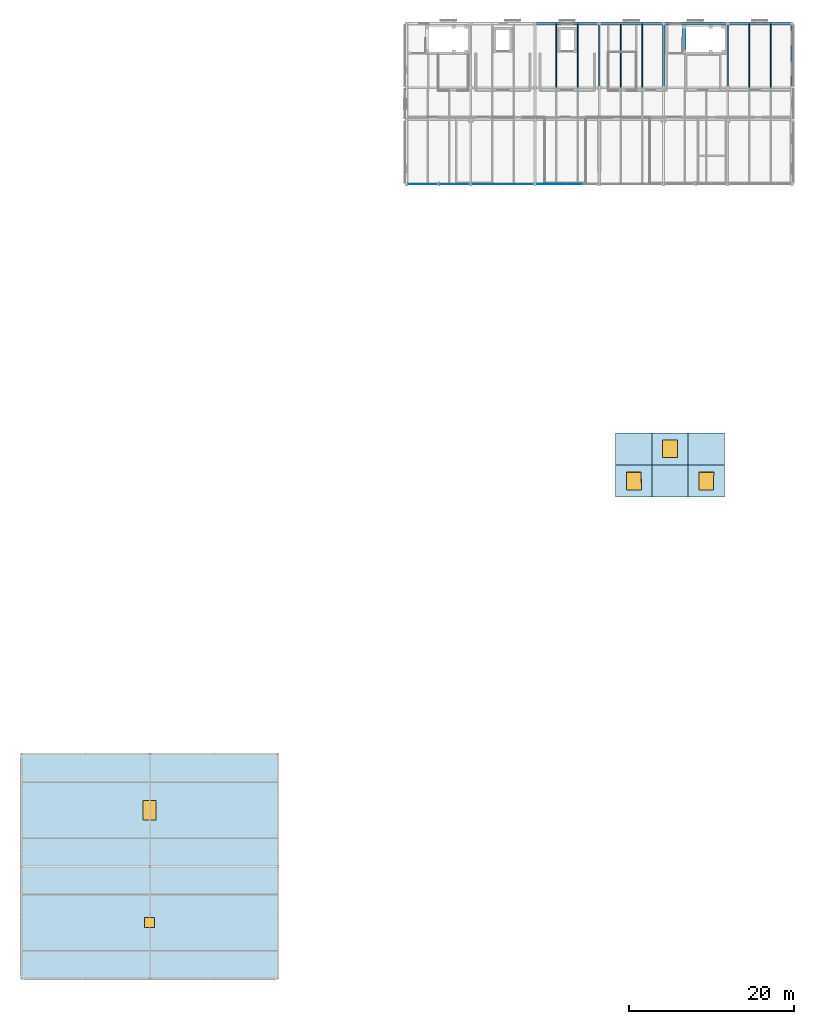
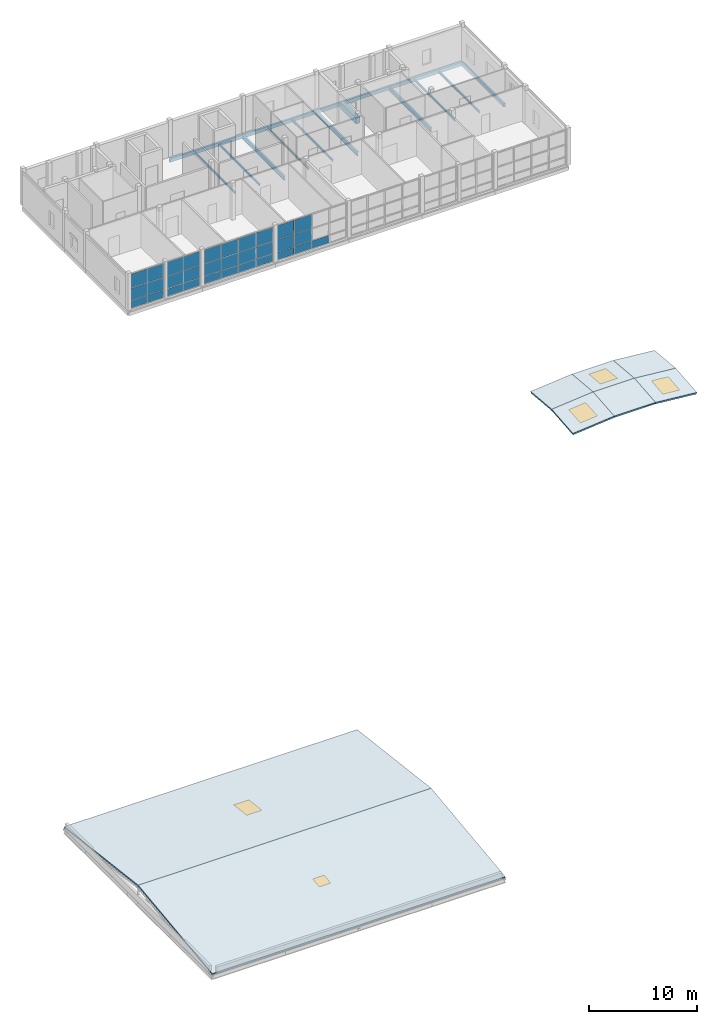
# One storey, part 9 of 21: 31 plates, 15 beams, 8 slabs, 5 windows, 5 openings, 4 elements without a shape of their own.
"""IFC4 building model written with IfcOpenShell, lengths in metres."""

from ifc_helpers import new_model, si_unit, direction, frame, origin, origin_2d, place, context, subcontext, project, spatial, polyline, rectangle, hollow_rectangle, i_section, outline, extrude, material, layer, layer_set, material_profile, profile_set, type_object, element, fill, aggregate, save


model = new_model("IFC4")

# Units and contexts
model_context = context("Model", 3, precision=1e-05, world=origin(), true_north=direction((0.0, 1.0)))
body_context = subcontext(model_context, "Body", "Model", "MODEL_VIEW")
ifc_project = project(units=[si_unit("LENGTHUNIT", "METRE"), si_unit("AREAUNIT", "SQUARE_METRE"), si_unit("VOLUMEUNIT", "CUBIC_METRE"), si_unit("PLANEANGLEUNIT", "RADIAN"), si_unit("MASSUNIT", "GRAM", prefix="KILO")], contexts=[model_context])

# Site, building, storey
site_placement = place(None, origin())
site = spatial("IfcSite", under=ifc_project, at=site_placement, CompositionType="ELEMENT")
building_placement = place(site_placement, origin())
building = spatial("IfcBuilding", under=site, at=building_placement, Name="Celorna Specialist Clinic", CompositionType="ELEMENT")
storey_placement = place(building_placement, frame((0.0, 0.0, 23.10009765625)))
storey = spatial("IfcBuildingStorey", under=building, at=storey_placement, Name="L05", CompositionType="ELEMENT", Elevation=23.10009765625)

# Beams
ifc_material_1 = material(Name="Steel S355", Category="steel")
ifc_material_profile_1 = material_profile(ifc_material_1, i_section(OverallWidth=0.18994140625, OverallDepth=0.449951171875, WebThickness=0.009521484375, FlangeThickness=0.0146484375, at=origin_2d()), Name="IPE 450")
ifc_profile_set_1 = profile_set([ifc_material_profile_1], Name="Steel S355")
beam_type_1 = type_object("IfcBeamType", Name="BM-09", PredefinedType="BEAM", material=ifc_profile_set_1)
for number, where, z_axis, x_axis, name in (
    (1, (70.199951171875, 108.199951171875, -0.505126953125), (0.0, 1.0, 0.0), (-1.0, 0.0, 0.0), "Transverse girder BM-09 #1451"),
    (2, (78.0, 108.199951171875, -0.505126953125), (0.0, 1.0, 0.0), (-1.0, 0.0, 0.0), "Transverse girder BM-09 #1454"),
    (3, (85.800048828125, 108.199951171875, -0.505126953125), (0.0, 1.0, 0.0), (-1.0, 0.0, 0.0), "Transverse girder BM-09 #1457"),
):
    element("IfcBeam", number, at=place(storey_placement, frame(where, z_axis=z_axis, x_axis=x_axis)), inside=storey, type_object=beam_type_1, Name=name, PredefinedType="BEAM", context=body_context, shape_type="SweptSolid", body=[
        extrude(i_section(OverallWidth=0.18994140625, OverallDepth=0.449951171875, WebThickness=0.009521484375, FlangeThickness=0.0146484375, at=origin_2d()), origin(), (0.0, 0.0, 1.0), 7.800048828125),
    ])
ifc_material_profile_2 = material_profile(ifc_material_1, hollow_rectangle(XDim=0.199951171875, YDim=0.39990234375, WallThickness=0.011962890625, at=origin_2d()), Name="RHS 200x400x12")
ifc_profile_set_2 = profile_set([ifc_material_profile_2], Name="Steel S355")
beam_type_2 = type_object("IfcBeamType", Name="BM-15", PredefinedType="SPANDREL", material=ifc_profile_set_2)
for number, where, z_axis, x_axis, name in (
    (4, (62.39990234375, 116.0, -0.47998046875), (1.0, 0.0, 0.0), (0.0, 1.0, 0.0), "Spandrel beam BM-15 #1436"),
    (5, (70.199951171875, 116.0, -0.47998046875), (1.0, 0.0, 0.0), (0.0, 1.0, 0.0), "Spandrel beam BM-15 #1437"),
    (6, (78.0, 116.0, -0.47998046875), (1.0, 0.0, 0.0), (0.0, 1.0, 0.0), "Spandrel beam BM-15 #1438"),
    (7, (85.800048828125, 116.0, -0.47998046875), (1.0, 0.0, 0.0), (0.0, 1.0, 0.0), "Spandrel beam BM-15 #1439"),
    (8, (93.60009765625, 108.199951171875, -0.47998046875), (0.0, 1.0, 0.0), (-1.0, 0.0, 0.0), "Spandrel beam BM-15 #1460"),
):
    element("IfcBeam", number, at=place(storey_placement, frame(where, z_axis=z_axis, x_axis=x_axis)), inside=storey, type_object=beam_type_2, Name=name, PredefinedType="SPANDREL", context=body_context, shape_type="SweptSolid", body=[
        extrude(hollow_rectangle(XDim=0.199951171875, YDim=0.39990234375, WallThickness=0.011962890625, at=origin_2d()), origin(), (0.0, 0.0, 1.0), 7.800048828125),
    ])
ifc_material_2 = material(Name="Concrete C35/45", Category="concrete")
ifc_material_profile_3 = material_profile(ifc_material_2, rectangle(XDim=0.39990234375, YDim=0.699951171875, at=origin_2d()), Name="RC 400x700")
ifc_profile_set_3 = profile_set([ifc_material_profile_3], Name="Concrete C35/45")
beam_type_3 = type_object("IfcBeamType", Name="BM-19", PredefinedType="BEAM", material=ifc_profile_set_3)
beam_placement = place(storey_placement, frame((80.52001953125, 112.570068359375, -0.275146484375), z_axis=(0.0, 1.0, 0.0), x_axis=(-1.0, 0.0, 0.0)))
element("IfcBeam", 9, at=beam_placement, inside=storey, type_object=beam_type_3, Name="Stair ST-02 floor landing trimmer beam L05", PredefinedType="BEAM", context=body_context, shape_type="SweptSolid", body=[
    extrude(rectangle(XDim=0.39990234375, YDim=0.699951171875, at=origin_2d()), origin(), (0.0, 0.0, 1.0), 3.0),
])
ifc_material_profile_4 = material_profile(ifc_material_1, i_section(OverallWidth=0.1201171875, OverallDepth=0.239990234375, WebThickness=0.006103515625, FlangeThickness=0.009765625, at=origin_2d()), Name="IPE 240")
ifc_profile_set_4 = profile_set([ifc_material_profile_4], Name="Steel S355")
beam_type_4 = type_object("IfcBeamType", Name="BM-23", PredefinedType="JOIST", material=ifc_profile_set_4)
for number, where, z_axis, x_axis, name in (
    (10, (65.0, 108.2880859375, -0.400146484375), (0.0, 1.0, 0.0), (-1.0, 0.0, 0.0), "Secondary floor joist BM-23 #1475"),
    (11, (67.60009765625, 108.2880859375, -0.400146484375), (0.0, 1.0, 0.0), (-1.0, 0.0, 0.0), "Secondary floor joist BM-23 #1476"),
    (12, (72.800048828125, 108.2880859375, -0.400146484375), (0.0, 1.0, 0.0), (-1.0, 0.0, 0.0), "Secondary floor joist BM-23 #1481"),
    (13, (75.39990234375, 108.2880859375, -0.400146484375), (0.0, 1.0, 0.0), (-1.0, 0.0, 0.0), "Secondary floor joist BM-23 #1482"),
    (14, (88.39990234375, 108.2880859375, -0.400146484375), (0.0, 1.0, 0.0), (-1.0, 0.0, 0.0), "Secondary floor joist BM-23 #1491"),
    (15, (91.0, 108.2880859375, -0.400146484375), (0.0, 1.0, 0.0), (-1.0, 0.0, 0.0), "Secondary floor joist BM-23 #1492"),
):
    element("IfcBeam", number, at=place(storey_placement, frame(where, z_axis=z_axis, x_axis=x_axis)), inside=storey, type_object=beam_type_4, Name=name, PredefinedType="JOIST", context=body_context, shape_type="SweptSolid", body=[
        extrude(i_section(OverallWidth=0.1201171875, OverallDepth=0.239990234375, WebThickness=0.006103515625, FlangeThickness=0.009765625, at=origin_2d()), origin(), (0.0, 0.0, 1.0), 7.6240234375),
    ])

# Curtain wall, plates
ifc_material_3 = material(Name="Thermally broken aluminium and solar-control glass curtain wall", Category="aluminium")
ifc_layer_1 = layer(ifc_material_3, 0.159912109375, Name="Thermally broken aluminium and solar-control glass curtain wall")
ifc_layer_set_1 = layer_set([ifc_layer_1], Name="Thermally broken aluminium and solar-control glass curtain wall")
curtain_wall_type_1 = type_object("IfcCurtainWallType", Name="CW-77", PredefinedType="NOTDEFINED", material=ifc_layer_set_1)
curtain_wall_1_placement = place(storey_placement, origin())
curtain_wall_1 = element("IfcCurtainWall", 16, at=curtain_wall_1_placement, inside=storey, type_object=curtain_wall_type_1, Name="Curtain wall CW-77 #145", PredefinedType="NOTDEFINED")
ifc_material_4 = material(Name="Low-e double glazing", Category="glass")
ifc_layer_2 = layer(ifc_material_4, 0.028076171875, Name="Low-e double glazing")
ifc_layer_set_2 = layer_set([ifc_layer_2], Name="Low-e double glazing")
plate_type_1 = type_object("IfcPlateType", Name="CPN-01", PredefinedType="CURTAIN_PANEL", material=ifc_layer_set_2)
plate_1_placement = place(storey_placement, frame((53.498046875, 96.5, 0.0498046875), z_axis=(0.0, 0.0, 1.0), x_axis=(-1.0, 0.0, 0.0)))
plate_1 = element("IfcPlate", 17, at=plate_1_placement, type_object=plate_type_1, Name="CW-77 panel 1.1", PredefinedType="CURTAIN_PANEL", context=body_context, shape_type="SweptSolid", body=[
    extrude(rectangle(XDim=1.696044921875, YDim=0.028076171875, at=origin_2d()), origin(), (0.0, 0.0, 1.0), 0.824951171875),
])
plate_2_placement = place(storey_placement, frame((53.498046875, 96.5, 0.9248046875), z_axis=(0.0, 0.0, 1.0), x_axis=(-1.0, 0.0, 0.0)))
plate_2 = element("IfcPlate", 18, at=plate_2_placement, type_object=plate_type_1, Name="CW-77 panel 1.2", PredefinedType="CURTAIN_PANEL", context=body_context, shape_type="SweptSolid", body=[
    extrude(rectangle(XDim=1.696044921875, YDim=0.028076171875, at=origin_2d()), origin(), (0.0, 0.0, 1.0), 1.35009765625),
])
plate_3_placement = place(storey_placement, frame((53.498046875, 96.5, 2.324951171875), z_axis=(0.0, 0.0, 1.0), x_axis=(-1.0, 0.0, 0.0)))
plate_3 = element("IfcPlate", 19, at=plate_3_placement, type_object=plate_type_1, Name="CW-77 panel 1.3", PredefinedType="CURTAIN_PANEL", context=body_context, shape_type="SweptSolid", body=[
    extrude(rectangle(XDim=1.696044921875, YDim=0.028076171875, at=origin_2d()), origin(), (0.0, 0.0, 1.0), 1.56494140625),
])
plate_4_placement = place(storey_placement, frame((51.751953125, 96.5, 0.0498046875), z_axis=(0.0, 0.0, 1.0), x_axis=(-1.0, 0.0, 0.0)))
plate_4 = element("IfcPlate", 20, at=plate_4_placement, type_object=plate_type_1, Name="CW-77 panel 2.1", PredefinedType="CURTAIN_PANEL", context=body_context, shape_type="SweptSolid", body=[
    extrude(rectangle(XDim=1.696044921875, YDim=0.028076171875, at=origin_2d()), origin(), (0.0, 0.0, 1.0), 0.824951171875),
])
plate_5_placement = place(storey_placement, frame((51.751953125, 96.5, 0.9248046875), z_axis=(0.0, 0.0, 1.0), x_axis=(-1.0, 0.0, 0.0)))
plate_5 = element("IfcPlate", 21, at=plate_5_placement, type_object=plate_type_1, Name="CW-77 panel 2.2", PredefinedType="CURTAIN_PANEL", context=body_context, shape_type="SweptSolid", body=[
    extrude(rectangle(XDim=1.696044921875, YDim=0.028076171875, at=origin_2d()), origin(), (0.0, 0.0, 1.0), 1.35009765625),
])
plate_6_placement = place(storey_placement, frame((51.751953125, 96.5, 2.324951171875), z_axis=(0.0, 0.0, 1.0), x_axis=(-1.0, 0.0, 0.0)))
plate_6 = element("IfcPlate", 22, at=plate_6_placement, type_object=plate_type_1, Name="CW-77 panel 2.3", PredefinedType="CURTAIN_PANEL", context=body_context, shape_type="SweptSolid", body=[
    extrude(rectangle(XDim=1.696044921875, YDim=0.028076171875, at=origin_2d()), origin(), (0.0, 0.0, 1.0), 1.56494140625),
])
aggregate(curtain_wall_1, [plate_1, plate_2, plate_3, plate_4, plate_5, plate_6])

curtain_wall_2_placement = place(storey_placement, origin())
curtain_wall_2 = element("IfcCurtainWall", 23, at=curtain_wall_2_placement, inside=storey, type_object=curtain_wall_type_1, Name="Curtain wall CW-77 #146", PredefinedType="NOTDEFINED")
plate_7_placement = place(storey_placement, frame((49.64794921875, 96.5, 0.0498046875), z_axis=(0.0, 0.0, 1.0), x_axis=(-1.0, 0.0, 0.0)))
plate_7 = element("IfcPlate", 24, at=plate_7_placement, type_object=plate_type_1, Name="CW-77 panel 1.1", PredefinedType="CURTAIN_PANEL", context=body_context, shape_type="SweptSolid", body=[
    extrude(rectangle(XDim=1.696044921875, YDim=0.028076171875, at=origin_2d()), origin(), (0.0, 0.0, 1.0), 0.824951171875),
])
plate_8_placement = place(storey_placement, frame((49.64794921875, 96.5, 0.9248046875), z_axis=(0.0, 0.0, 1.0), x_axis=(-1.0, 0.0, 0.0)))
plate_8 = element("IfcPlate", 25, at=plate_8_placement, type_object=plate_type_1, Name="CW-77 panel 1.2", PredefinedType="CURTAIN_PANEL", context=body_context, shape_type="SweptSolid", body=[
    extrude(rectangle(XDim=1.696044921875, YDim=0.028076171875, at=origin_2d()), origin(), (0.0, 0.0, 1.0), 1.35009765625),
])
plate_9_placement = place(storey_placement, frame((49.64794921875, 96.5, 2.324951171875), z_axis=(0.0, 0.0, 1.0), x_axis=(-1.0, 0.0, 0.0)))
plate_9 = element("IfcPlate", 26, at=plate_9_placement, type_object=plate_type_1, Name="CW-77 panel 1.3", PredefinedType="CURTAIN_PANEL", context=body_context, shape_type="SweptSolid", body=[
    extrude(rectangle(XDim=1.696044921875, YDim=0.028076171875, at=origin_2d()), origin(), (0.0, 0.0, 1.0), 1.56494140625),
])
plate_10_placement = place(storey_placement, frame((47.902099609375, 96.5, 0.0498046875), z_axis=(0.0, 0.0, 1.0), x_axis=(-1.0, 0.0, 0.0)))
plate_10 = element("IfcPlate", 27, at=plate_10_placement, type_object=plate_type_1, Name="CW-77 panel 2.1", PredefinedType="CURTAIN_PANEL", context=body_context, shape_type="SweptSolid", body=[
    extrude(rectangle(XDim=1.696044921875, YDim=0.028076171875, at=origin_2d()), origin(), (0.0, 0.0, 1.0), 0.824951171875),
])
plate_11_placement = place(storey_placement, frame((47.902099609375, 96.5, 0.9248046875), z_axis=(0.0, 0.0, 1.0), x_axis=(-1.0, 0.0, 0.0)))
plate_11 = element("IfcPlate", 28, at=plate_11_placement, type_object=plate_type_1, Name="CW-77 panel 2.2", PredefinedType="CURTAIN_PANEL", context=body_context, shape_type="SweptSolid", body=[
    extrude(rectangle(XDim=1.696044921875, YDim=0.028076171875, at=origin_2d()), origin(), (0.0, 0.0, 1.0), 1.35009765625),
])
plate_12_placement = place(storey_placement, frame((47.902099609375, 96.5, 2.324951171875), z_axis=(0.0, 0.0, 1.0), x_axis=(-1.0, 0.0, 0.0)))
plate_12 = element("IfcPlate", 29, at=plate_12_placement, type_object=plate_type_1, Name="CW-77 panel 2.3", PredefinedType="CURTAIN_PANEL", context=body_context, shape_type="SweptSolid", body=[
    extrude(rectangle(XDim=1.696044921875, YDim=0.028076171875, at=origin_2d()), origin(), (0.0, 0.0, 1.0), 1.56494140625),
])
aggregate(curtain_wall_2, [plate_7, plate_8, plate_9, plate_10, plate_11, plate_12])

ifc_layer_3 = layer(ifc_material_3, 0.159912109375, Name="Thermally broken aluminium and solar-control glass curtain wall")
ifc_layer_set_3 = layer_set([ifc_layer_3], Name="Thermally broken aluminium and solar-control glass curtain wall")
curtain_wall_type_2 = type_object("IfcCurtainWallType", Name="CW-78", PredefinedType="NOTDEFINED", material=ifc_layer_set_3)
curtain_wall_3_placement = place(storey_placement, origin())
curtain_wall_3 = element("IfcCurtainWall", 30, at=curtain_wall_3_placement, inside=storey, type_object=curtain_wall_type_2, Name="Curtain wall CW-78 #147", PredefinedType="NOTDEFINED")
ifc_material_5 = material(Name="Solar-control triple glazing", Category="glass")
ifc_layer_4 = layer(ifc_material_5, 0.035888671875, Name="Solar-control triple glazing")
ifc_layer_set_4 = layer_set([ifc_layer_4], Name="Solar-control triple glazing")
plate_type_2 = type_object("IfcPlateType", Name="CPN-02", PredefinedType="CURTAIN_PANEL", material=ifc_layer_set_4)
plate_13_placement = place(storey_placement, frame((61.259521484375, 96.5, 0.0498046875), z_axis=(0.0, 0.0, 1.0), x_axis=(-1.0, 0.0, 0.0)))
plate_13 = element("IfcPlate", 31, at=plate_13_placement, type_object=plate_type_2, Name="CW-78 panel 1.1", PredefinedType="CURTAIN_PANEL", context=body_context, shape_type="SweptSolid", body=[
    extrude(rectangle(XDim=1.77294921875, YDim=0.035888671875, at=origin_2d()), origin(), (0.0, 0.0, 1.0), 0.824951171875),
])
plate_14_placement = place(storey_placement, frame((61.259521484375, 96.5, 0.9248046875), z_axis=(0.0, 0.0, 1.0), x_axis=(-1.0, 0.0, 0.0)))
plate_14 = element("IfcPlate", 32, at=plate_14_placement, type_object=plate_type_2, Name="CW-78 panel 1.2", PredefinedType="CURTAIN_PANEL", context=body_context, shape_type="SweptSolid", body=[
    extrude(rectangle(XDim=1.77294921875, YDim=0.035888671875, at=origin_2d()), origin(), (0.0, 0.0, 1.0), 1.35009765625),
])
plate_15_placement = place(storey_placement, frame((61.259521484375, 96.5, 2.324951171875), z_axis=(0.0, 0.0, 1.0), x_axis=(-1.0, 0.0, 0.0)))
plate_15 = element("IfcPlate", 33, at=plate_15_placement, type_object=plate_type_2, Name="CW-78 panel 1.3", PredefinedType="CURTAIN_PANEL", context=body_context, shape_type="SweptSolid", body=[
    extrude(rectangle(XDim=1.77294921875, YDim=0.035888671875, at=origin_2d()), origin(), (0.0, 0.0, 1.0), 1.56494140625),
])
plate_16_placement = place(storey_placement, frame((59.424072265625, 96.5, 0.0498046875), z_axis=(0.0, 0.0, 1.0), x_axis=(-1.0, 0.0, 0.0)))
plate_16 = element("IfcPlate", 34, at=plate_16_placement, type_object=plate_type_2, Name="CW-78 panel 2.1", PredefinedType="CURTAIN_PANEL", context=body_context, shape_type="SweptSolid", body=[
    extrude(rectangle(XDim=1.798095703125, YDim=0.035888671875, at=origin_2d()), origin(), (0.0, 0.0, 1.0), 0.824951171875),
])
plate_17_placement = place(storey_placement, frame((59.424072265625, 96.5, 0.9248046875), z_axis=(0.0, 0.0, 1.0), x_axis=(-1.0, 0.0, 0.0)))
plate_17 = element("IfcPlate", 35, at=plate_17_placement, type_object=plate_type_2, Name="CW-78 panel 2.2", PredefinedType="CURTAIN_PANEL", context=body_context, shape_type="SweptSolid", body=[
    extrude(rectangle(XDim=1.798095703125, YDim=0.035888671875, at=origin_2d()), origin(), (0.0, 0.0, 1.0), 1.35009765625),
])
plate_18_placement = place(storey_placement, frame((59.424072265625, 96.5, 2.324951171875), z_axis=(0.0, 0.0, 1.0), x_axis=(-1.0, 0.0, 0.0)))
plate_18 = element("IfcPlate", 36, at=plate_18_placement, type_object=plate_type_2, Name="CW-78 panel 2.3", PredefinedType="CURTAIN_PANEL", context=body_context, shape_type="SweptSolid", body=[
    extrude(rectangle(XDim=1.798095703125, YDim=0.035888671875, at=origin_2d()), origin(), (0.0, 0.0, 1.0), 1.56494140625),
])
plate_19_placement = place(storey_placement, frame((57.575927734375, 96.5, 0.0498046875), z_axis=(0.0, 0.0, 1.0), x_axis=(-1.0, 0.0, 0.0)))
plate_19 = element("IfcPlate", 37, at=plate_19_placement, type_object=plate_type_2, Name="CW-78 panel 3.1", PredefinedType="CURTAIN_PANEL", context=body_context, shape_type="SweptSolid", body=[
    extrude(rectangle(XDim=1.798095703125, YDim=0.035888671875, at=origin_2d()), origin(), (0.0, 0.0, 1.0), 0.824951171875),
])
plate_20_placement = place(storey_placement, frame((57.575927734375, 96.5, 0.9248046875), z_axis=(0.0, 0.0, 1.0), x_axis=(-1.0, 0.0, 0.0)))
plate_20 = element("IfcPlate", 38, at=plate_20_placement, type_object=plate_type_2, Name="CW-78 panel 3.2", PredefinedType="CURTAIN_PANEL", context=body_context, shape_type="SweptSolid", body=[
    extrude(rectangle(XDim=1.798095703125, YDim=0.035888671875, at=origin_2d()), origin(), (0.0, 0.0, 1.0), 1.35009765625),
])
plate_21_placement = place(storey_placement, frame((57.575927734375, 96.5, 2.324951171875), z_axis=(0.0, 0.0, 1.0), x_axis=(-1.0, 0.0, 0.0)))
plate_21 = element("IfcPlate", 39, at=plate_21_placement, type_object=plate_type_2, Name="CW-78 panel 3.3", PredefinedType="CURTAIN_PANEL", context=body_context, shape_type="SweptSolid", body=[
    extrude(rectangle(XDim=1.798095703125, YDim=0.035888671875, at=origin_2d()), origin(), (0.0, 0.0, 1.0), 1.56494140625),
])
plate_22_placement = place(storey_placement, frame((55.740478515625, 96.5, 0.0498046875), z_axis=(0.0, 0.0, 1.0), x_axis=(-1.0, 0.0, 0.0)))
plate_22 = element("IfcPlate", 40, at=plate_22_placement, type_object=plate_type_2, Name="CW-78 panel 4.1", PredefinedType="CURTAIN_PANEL", context=body_context, shape_type="SweptSolid", body=[
    extrude(rectangle(XDim=1.77294921875, YDim=0.035888671875, at=origin_2d()), origin(), (0.0, 0.0, 1.0), 0.824951171875),
])
plate_23_placement = place(storey_placement, frame((55.740478515625, 96.5, 0.9248046875), z_axis=(0.0, 0.0, 1.0), x_axis=(-1.0, 0.0, 0.0)))
plate_23 = element("IfcPlate", 41, at=plate_23_placement, type_object=plate_type_2, Name="CW-78 panel 4.2", PredefinedType="CURTAIN_PANEL", context=body_context, shape_type="SweptSolid", body=[
    extrude(rectangle(XDim=1.77294921875, YDim=0.035888671875, at=origin_2d()), origin(), (0.0, 0.0, 1.0), 1.35009765625),
])
plate_24_placement = place(storey_placement, frame((55.740478515625, 96.5, 2.324951171875), z_axis=(0.0, 0.0, 1.0), x_axis=(-1.0, 0.0, 0.0)))
plate_24 = element("IfcPlate", 42, at=plate_24_placement, type_object=plate_type_2, Name="CW-78 panel 4.3", PredefinedType="CURTAIN_PANEL", context=body_context, shape_type="SweptSolid", body=[
    extrude(rectangle(XDim=1.77294921875, YDim=0.035888671875, at=origin_2d()), origin(), (0.0, 0.0, 1.0), 1.56494140625),
])
aggregate(curtain_wall_3, [plate_13, plate_14, plate_15, plate_16, plate_17, plate_18, plate_19, plate_20, plate_21, plate_22, plate_23, plate_24])

ifc_layer_5 = layer(ifc_material_3, 0.159912109375, Name="Thermally broken aluminium and solar-control glass curtain wall")
ifc_layer_set_5 = layer_set([ifc_layer_5], Name="Thermally broken aluminium and solar-control glass curtain wall")
curtain_wall_type_3 = type_object("IfcCurtainWallType", Name="CW-79", PredefinedType="NOTDEFINED", material=ifc_layer_set_5)
curtain_wall_4_placement = place(storey_placement, origin())
curtain_wall_4 = element("IfcCurtainWall", 43, at=curtain_wall_4_placement, inside=storey, type_object=curtain_wall_type_3, Name="Curtain wall CW-79 #148", PredefinedType="NOTDEFINED")
ifc_material_6 = material(Name="Glazed polychrome ceramic insulated spandrel")
ifc_layer_6 = layer(ifc_material_6, 0.0439453125, Name="Glazed polychrome ceramic insulated spandrel")
ifc_layer_set_6 = layer_set([ifc_layer_6], Name="Glazed polychrome ceramic insulated spandrel")
plate_type_3 = type_object("IfcPlateType", Name="CPN-03", PredefinedType="CURTAIN_PANEL", material=ifc_layer_set_6)
plate_25_placement = place(storey_placement, frame((67.22412109375, 96.5, 0.0498046875), z_axis=(0.0, 0.0, 1.0), x_axis=(-1.0, 0.0, 0.0)))
plate_25 = element("IfcPlate", 44, at=plate_25_placement, type_object=plate_type_3, Name="CW-79 panel 2.1", PredefinedType="CURTAIN_PANEL", context=body_context, shape_type="SweptSolid", body=[
    extrude(rectangle(XDim=1.798095703125, YDim=0.0439453125, at=origin_2d()), origin(), (0.0, 0.0, 1.0), 0.824951171875),
])
plate_26_placement = place(storey_placement, frame((65.3759765625, 96.5, 0.0498046875), z_axis=(0.0, 0.0, 1.0), x_axis=(-1.0, 0.0, 0.0)))
plate_26 = element("IfcPlate", 45, at=plate_26_placement, type_object=plate_type_3, Name="CW-79 panel 3.1", PredefinedType="CURTAIN_PANEL", context=body_context, shape_type="SweptSolid", body=[
    extrude(rectangle(XDim=1.798095703125, YDim=0.0439453125, at=origin_2d()), origin(), (0.0, 0.0, 1.0), 0.824951171875),
])
plate_27_placement = place(storey_placement, frame((65.3759765625, 96.5, 0.9248046875), z_axis=(0.0, 0.0, 1.0), x_axis=(-1.0, 0.0, 0.0)))
plate_27 = element("IfcPlate", 46, at=plate_27_placement, type_object=plate_type_3, Name="CW-79 panel 3.2", PredefinedType="CURTAIN_PANEL", context=body_context, shape_type="SweptSolid", body=[
    extrude(rectangle(XDim=1.798095703125, YDim=0.0439453125, at=origin_2d()), origin(), (0.0, 0.0, 1.0), 1.35009765625),
])
plate_28_placement = place(storey_placement, frame((65.3759765625, 96.5, 2.324951171875), z_axis=(0.0, 0.0, 1.0), x_axis=(-1.0, 0.0, 0.0)))
plate_28 = element("IfcPlate", 47, at=plate_28_placement, type_object=plate_type_3, Name="CW-79 panel 3.3", PredefinedType="CURTAIN_PANEL", context=body_context, shape_type="SweptSolid", body=[
    extrude(rectangle(XDim=1.798095703125, YDim=0.0439453125, at=origin_2d()), origin(), (0.0, 0.0, 1.0), 1.56494140625),
])
plate_29_placement = place(storey_placement, frame((63.54052734375, 96.5, 0.0498046875), z_axis=(0.0, 0.0, 1.0), x_axis=(-1.0, 0.0, 0.0)))
plate_29 = element("IfcPlate", 48, at=plate_29_placement, type_object=plate_type_3, Name="CW-79 panel 4.1", PredefinedType="CURTAIN_PANEL", context=body_context, shape_type="SweptSolid", body=[
    extrude(rectangle(XDim=1.77294921875, YDim=0.0439453125, at=origin_2d()), origin(), (0.0, 0.0, 1.0), 0.824951171875),
])
plate_30_placement = place(storey_placement, frame((63.54052734375, 96.5, 0.9248046875), z_axis=(0.0, 0.0, 1.0), x_axis=(-1.0, 0.0, 0.0)))
plate_30 = element("IfcPlate", 49, at=plate_30_placement, type_object=plate_type_3, Name="CW-79 panel 4.2", PredefinedType="CURTAIN_PANEL", context=body_context, shape_type="SweptSolid", body=[
    extrude(rectangle(XDim=1.77294921875, YDim=0.0439453125, at=origin_2d()), origin(), (0.0, 0.0, 1.0), 1.35009765625),
])
plate_31_placement = place(storey_placement, frame((63.54052734375, 96.5, 2.324951171875), z_axis=(0.0, 0.0, 1.0), x_axis=(-1.0, 0.0, 0.0)))
plate_31 = element("IfcPlate", 50, at=plate_31_placement, type_object=plate_type_3, Name="CW-79 panel 4.3", PredefinedType="CURTAIN_PANEL", context=body_context, shape_type="SweptSolid", body=[
    extrude(rectangle(XDim=1.77294921875, YDim=0.0439453125, at=origin_2d()), origin(), (0.0, 0.0, 1.0), 1.56494140625),
])
aggregate(curtain_wall_4, [plate_25, plate_26, plate_27, plate_28, plate_29, plate_30, plate_31])

# Slab, opening, window
ifc_material_7 = material(Name="Glulam GL28h insulated roof deck", Category="wood")
ifc_layer_7 = layer(ifc_material_7, 0.179931640625, Name="Glulam GL28h insulated roof deck")
ifc_layer_set_7 = layer_set([ifc_layer_7], Name="Glulam GL28h insulated roof deck")
slab_type_1 = type_object("IfcSlabType", Name="SL-12", PredefinedType="ROOF", material=ifc_layer_set_7)
slab_1_placement = place(storey_placement, frame((72.199951171875, 58.5, 0.16845703125), z_axis=(-0.093138458011, -0.090685051498, 0.991514724588), x_axis=(0.995617043189, 0.0, 0.09352381147)))
slab_1 = element("IfcSlab", 51, at=slab_1_placement, inside=storey, type_object=slab_type_1, Name="GSH-V1 translational gridshell roof facet 5-4", PredefinedType="ROOF", context=body_context, shape_type="SweptSolid", body=[
    extrude(outline(polyline([(0.0, 0.0), (4.419517036672728, 0.0), (4.452875993840029, 3.916037900318901), (0.03335895716730036, 3.9160379003189005), (0.0, 0.0)])), origin(), (0.0, 0.0, -1.0), 0.179931640625),
])
opening_1_placement = place(slab_1_placement, frame((2.226318359375, 1.9580078125, 0.010009765625)))
opening_1 = element("IfcOpeningElement", 52, at=opening_1_placement, cuts=slab_1, Name="Opening SK-03", PredefinedType="OPENING", context=body_context, shape_type="SweptSolid", body=[
    extrude(rectangle(XDim=1.800048828125, YDim=2.139892578125, at=origin_2d()), origin(), (0.0, 0.0, -1.0), 0.199951171875),
])
ifc_material_8 = material(Name="Gridshell crown acoustic skylight")
window_type_1 = type_object("IfcWindowType", Name="SK-03", PartitioningType="SINGLE_PANEL", PredefinedType="SKYLIGHT", material=ifc_material_8)
window_1_placement = place(opening_1_placement, frame((0.0, 0.0, -0.010009765625)))
window_1 = element("IfcWindow", 53, at=window_1_placement, inside=storey, type_object=window_type_1, Name="GSH-V1 gridshell skylight 5-4", OverallHeight=2.139892578125, OverallWidth=1.800048828125, PartitioningType="SINGLE_PANEL", PredefinedType="SKYLIGHT", context=body_context, shape_type="SweptSolid", body=[
    extrude(rectangle(XDim=1.800048828125, YDim=2.139892578125, at=origin_2d()), origin(), (0.0, 0.0, -1.0), 0.050048828125),
])
fill(opening_1, window_1)

# Slabs
slab_2_placement = place(storey_placement, frame((72.199951171875, 62.39990234375, 0.525146484375), z_axis=(-0.093138505956, 0.090679421492, 0.991515234995), x_axis=(0.995617043189, 0.0, 0.09352381147)))
element("IfcSlab", 54, at=slab_2_placement, inside=storey, type_object=slab_type_1, Name="GSH-V1 translational gridshell roof facet 5-5", PredefinedType="ROOF", context=body_context, shape_type="SweptSolid", body=[
    extrude(outline(polyline([(0.0, 0.0), (4.419517036672728, 0.0), (4.386158079505428, 3.9162810350548125), (-0.03335895716730036, 3.9162810350548125), (0.0, 0.0)])), origin(), (0.0, 0.0, -1.0), 0.179931640625),
])
slab_3_placement = place(storey_placement, frame((76.60009765625, 58.5, 0.581787109375), z_axis=(0.0, -0.091080965304, 0.995843490594), x_axis=(1.0, 0.0, 0.0)))
element("IfcSlab", 55, at=slab_3_placement, inside=storey, type_object=slab_type_1, Name="GSH-V1 translational gridshell roof facet 6-4", PredefinedType="ROOF", context=body_context, shape_type="SweptSolid", body=[
    extrude(outline(polyline([(0.0, 0.0), (4.39990234375, 0.0), (4.39990234375, 3.916179982681766), (0.0, 3.916179982681766), (0.0, 0.0)])), origin(), (0.0, 0.0, -1.0), 0.179931640625),
])

# Slab, opening, window
slab_4_placement = place(storey_placement, frame((76.60009765625, 62.39990234375, 0.9384765625), z_axis=(0.0, 0.091075311128, 0.995844007716), x_axis=(1.0, 0.0, 0.0)))
slab_4 = element("IfcSlab", 56, at=slab_4_placement, inside=storey, type_object=slab_type_1, Name="GSH-V1 translational gridshell roof facet 6-5", PredefinedType="ROOF", context=body_context, shape_type="SweptSolid", body=[
    extrude(outline(polyline([(0.0, 0.0), (4.39990234375, 0.0), (4.39990234375, 3.9164231085970886), (0.0, 3.9164231085970886), (0.0, 0.0)])), origin(), (0.0, 0.0, -1.0), 0.179931640625),
])
opening_2_placement = place(slab_4_placement, frame((2.199951171875, 1.958251953125, 0.010009765625)))
opening_2 = element("IfcOpeningElement", 57, at=opening_2_placement, cuts=slab_4, Name="Opening SK-03", PredefinedType="OPENING", context=body_context, shape_type="SweptSolid", body=[
    extrude(rectangle(XDim=1.800048828125, YDim=2.139892578125, at=origin_2d()), origin(), (0.0, 0.0, -1.0), 0.199951171875),
])
window_2_placement = place(opening_2_placement, frame((0.0, 0.0, -0.010009765625)))
window_2 = element("IfcWindow", 58, at=window_2_placement, inside=storey, type_object=window_type_1, Name="GSH-V1 gridshell skylight 6-5", OverallHeight=2.139892578125, OverallWidth=1.800048828125, PartitioningType="SINGLE_PANEL", PredefinedType="SKYLIGHT", context=body_context, shape_type="SweptSolid", body=[
    extrude(rectangle(XDim=1.800048828125, YDim=2.139892578125, at=origin_2d()), origin(), (0.0, 0.0, -1.0), 0.050048828125),
])
fill(opening_2, window_2)

slab_5_placement = place(storey_placement, frame((81.0, 58.5, 0.581787109375), z_axis=(0.093143581218, -0.090685007846, 0.991514247316), x_axis=(0.995616559968, 0.0, -0.0935289555)))
slab_5 = element("IfcSlab", 59, at=slab_5_placement, inside=storey, type_object=slab_type_1, Name="GSH-V1 translational gridshell roof facet 7-4", PredefinedType="ROOF", context=body_context, shape_type="SweptSolid", body=[
    extrude(outline(polyline([(0.0, 0.0), (4.419273966164528, 0.0), (4.385913174175776, 3.916037884688455), (-0.033360791988751526, 3.9160378846884556), (0.0, 0.0)])), origin(), (0.0, 0.0, -1.0), 0.179931640625),
])
opening_3_placement = place(slab_5_placement, frame((2.19287109375, 1.9580078125, 0.010009765625)))
opening_3 = element("IfcOpeningElement", 60, at=opening_3_placement, cuts=slab_5, Name="Opening SK-03", PredefinedType="OPENING", context=body_context, shape_type="SweptSolid", body=[
    extrude(rectangle(XDim=1.800048828125, YDim=2.139892578125, at=origin_2d()), origin(), (0.0, 0.0, -1.0), 0.199951171875),
])
window_3_placement = place(opening_3_placement, frame((0.0, 0.0, -0.010009765625)))
window_3 = element("IfcWindow", 61, at=window_3_placement, inside=storey, type_object=window_type_1, Name="GSH-V1 gridshell skylight 7-4", OverallHeight=2.139892578125, OverallWidth=1.800048828125, PartitioningType="SINGLE_PANEL", PredefinedType="SKYLIGHT", context=body_context, shape_type="SweptSolid", body=[
    extrude(rectangle(XDim=1.800048828125, YDim=2.139892578125, at=origin_2d()), origin(), (0.0, 0.0, -1.0), 0.050048828125),
])
fill(opening_3, window_3)

# Slab
slab_6_placement = place(storey_placement, frame((81.0, 62.39990234375, 0.9384765625), z_axis=(0.093143629166, 0.090679377842, 0.991514757722), x_axis=(0.995616559968, 0.0, -0.0935289555)))
element("IfcSlab", 62, at=slab_6_placement, inside=storey, type_object=slab_type_1, Name="GSH-V1 translational gridshell roof facet 7-5", PredefinedType="ROOF", context=body_context, shape_type="SweptSolid", body=[
    extrude(outline(polyline([(0.0, 0.0), (4.419273966164528, 0.0), (4.4526347581532795, 3.916281019425339), (0.033360791988751526, 3.916281019425339), (0.0, 0.0)])), origin(), (0.0, 0.0, -1.0), 0.179931640625),
])

# Slab, opening, window
ifc_material_9 = material(Name="Precast concrete C40/50", Category="concrete")
ifc_layer_8 = layer(ifc_material_9, 0.159912109375, Name="Precast concrete C40/50")
ifc_layer_set_8 = layer_set([ifc_layer_8], Name="Precast concrete C40/50")
slab_type_2 = type_object("IfcSlabType", Name="SL-13", PredefinedType="ROOF", material=ifc_layer_set_8)
slab_7_placement = place(storey_placement, frame((0.0, 0.0, 0.079833984375), z_axis=(0.0, -0.121451592044, 0.992597355825), x_axis=(1.0, 0.0, 0.0)))
slab_7 = element("IfcSlab", 63, at=slab_7_placement, inside=storey, type_object=slab_type_2, Name="Sloped roof slab ROOF-V5-SOUTH", PredefinedType="ROOF", context=body_context, shape_type="SweptSolid", body=[
    extrude(outline(polyline([(0.0, 0.0), (31.199951171875, 0.0), (31.199951171875, 13.751701295245631), (0.0, 13.751701295245631), (0.0, 0.0)])), origin(), (0.0, 0.0, -1.0), 0.159912109375),
])
opening_4_placement = place(slab_7_placement, frame((15.60009765625, 6.875732421875, 0.010009765625)))
opening_4 = element("IfcOpeningElement", 64, at=opening_4_placement, cuts=slab_7, Name="Opening SK-04", PredefinedType="OPENING", context=body_context, shape_type="SweptSolid", body=[
    extrude(rectangle(XDim=1.199951171875, YDim=1.199951171875, at=origin_2d()), origin(), (0.0, 0.0, -1.0), 0.179931640625),
])
ifc_material_10 = material(Name="Insulated roof maintenance access skylight hatch")
window_type_2 = type_object("IfcWindowType", Name="SK-04", PartitioningType="SINGLE_PANEL", PredefinedType="SKYLIGHT", material=ifc_material_10)
window_4_placement = place(opening_4_placement, frame((0.0, 0.0, -0.010009765625)))
window_4 = element("IfcWindow", 65, at=window_4_placement, inside=storey, type_object=window_type_2, Name="Roof skylight SK-04 on ROOF-V5-SOUTH", OverallHeight=1.199951171875, OverallWidth=1.199951171875, PartitioningType="SINGLE_PANEL", PredefinedType="SKYLIGHT", context=body_context, shape_type="SweptSolid", body=[
    extrude(rectangle(XDim=1.199951171875, YDim=1.199951171875, at=origin_2d()), origin(), (0.0, 0.0, -1.0), 0.050048828125),
])
fill(opening_4, window_4)

slab_8_placement = place(storey_placement, frame((0.0, 13.64990234375, 1.75), z_axis=(0.0, 0.121449451854, 0.99259761769), x_axis=(1.0, 0.0, 0.0)))
slab_8 = element("IfcSlab", 66, at=slab_8_placement, inside=storey, type_object=slab_type_2, Name="Sloped roof slab ROOF-V5-NORTH", PredefinedType="ROOF", context=body_context, shape_type="SweptSolid", body=[
    extrude(outline(polyline([(0.0, 0.0), (31.199951171875, 0.0), (31.199951171875, 13.751943628616424), (0.0, 13.751943628616424), (0.0, 0.0)])), origin(), (0.0, 0.0, -1.0), 0.159912109375),
])
opening_5_placement = place(slab_8_placement, frame((15.60009765625, 6.8759765625, 0.010009765625)))
opening_5 = element("IfcOpeningElement", 67, at=opening_5_placement, cuts=slab_8, Name="Opening SK-02", PredefinedType="OPENING", context=body_context, shape_type="SweptSolid", body=[
    extrude(rectangle(XDim=1.60009765625, YDim=2.39990234375, at=origin_2d()), origin(), (0.0, 0.0, -1.0), 0.179931640625),
])
ifc_material_11 = material(Name="Outpatient atrium skylight lantern")
window_type_3 = type_object("IfcWindowType", Name="SK-02", PartitioningType="SINGLE_PANEL", PredefinedType="SKYLIGHT", material=ifc_material_11)
window_5_placement = place(opening_5_placement, frame((0.0, 0.0, -0.010009765625)))
window_5 = element("IfcWindow", 68, at=window_5_placement, inside=storey, type_object=window_type_3, Name="Roof skylight SK-02 on ROOF-V5-NORTH", OverallHeight=2.39990234375, OverallWidth=1.60009765625, PartitioningType="SINGLE_PANEL", PredefinedType="SKYLIGHT", context=body_context, shape_type="SweptSolid", body=[
    extrude(rectangle(XDim=1.60009765625, YDim=2.39990234375, at=origin_2d()), origin(), (0.0, 0.0, -1.0), 0.050048828125),
])
fill(opening_5, window_5)

save(model, "model.ifc")
